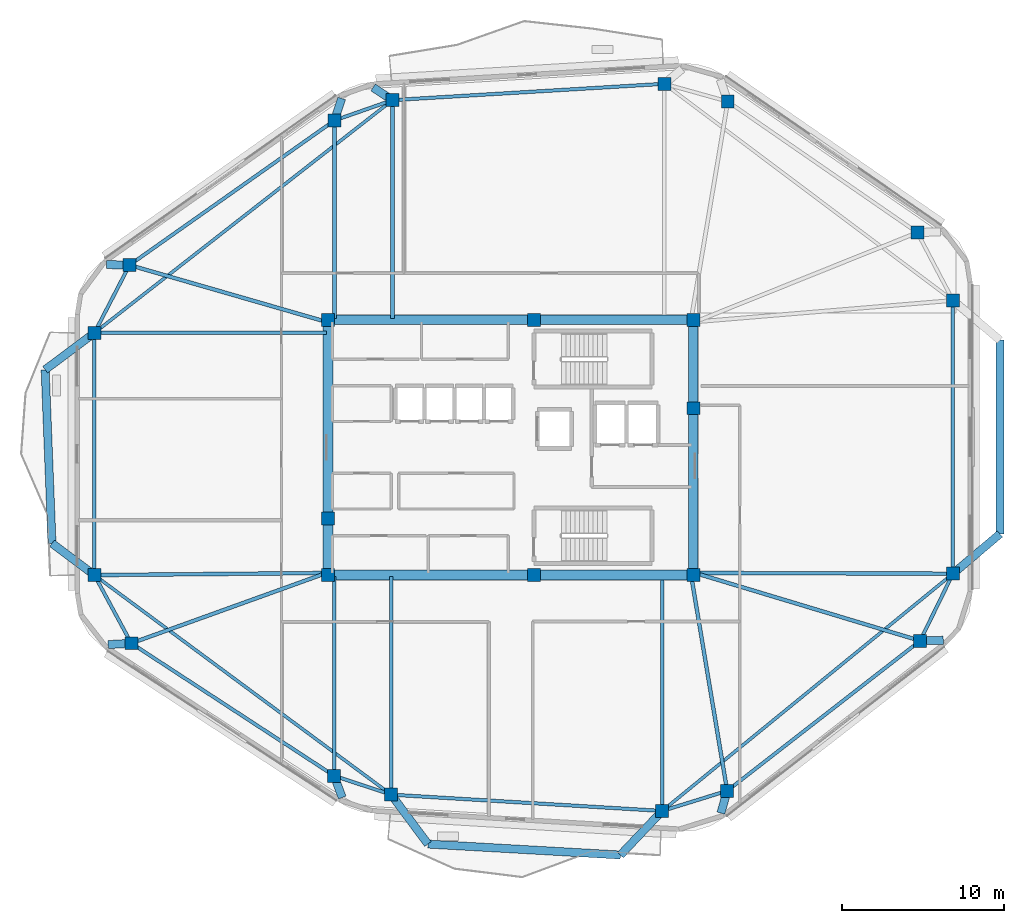
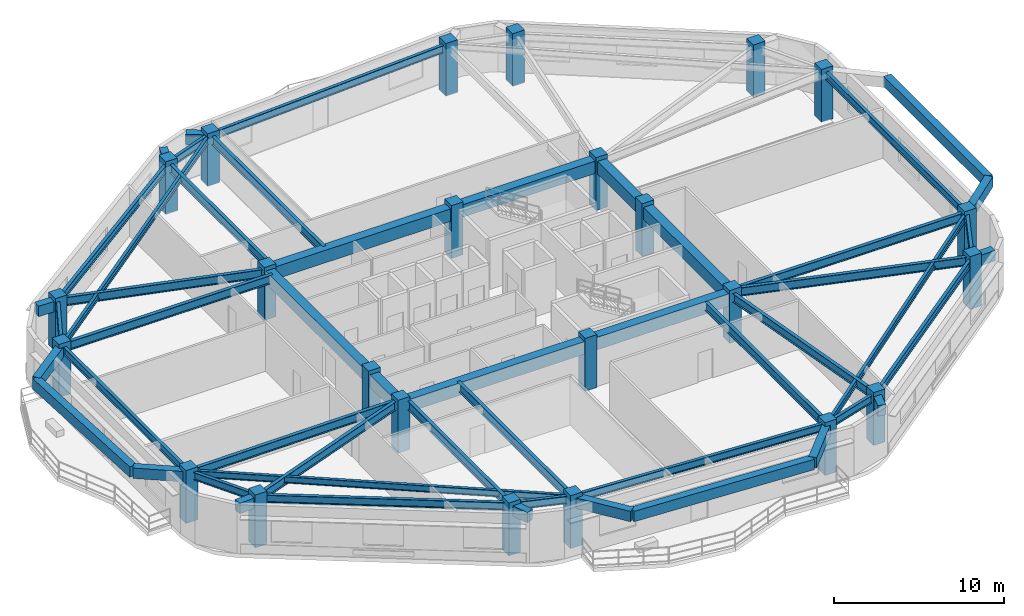
# One storey, part 1 of 9: 51 beams, 24 columns.
"""IFC4 building model written with IfcOpenShell, lengths in metres."""

from ifc_helpers import new_model, si_unit, direction, frame, origin, origin_2d, place, context, subcontext, project, spatial, rectangle, i_section, extrude, material, material_profile, profile_set, type_object, element, save


model = new_model("IFC4")

# Units and contexts
model_context = context("Model", 3, precision=1e-05, world=origin(), true_north=direction((0.0, 1.0)))
body_context = subcontext(model_context, "Body", "Model", "MODEL_VIEW")
ifc_project = project(units=[si_unit("LENGTHUNIT", "METRE"), si_unit("AREAUNIT", "SQUARE_METRE"), si_unit("VOLUMEUNIT", "CUBIC_METRE"), si_unit("PLANEANGLEUNIT", "RADIAN"), si_unit("MASSUNIT", "GRAM", prefix="KILO")], contexts=[model_context])

# Site, building, storey
site_placement = place(None, origin())
site = spatial("IfcSite", under=ifc_project, at=site_placement, CompositionType="ELEMENT")
building_placement = place(site_placement, origin())
building = spatial("IfcBuilding", under=site, at=building_placement, Name="Zulverin Broadcast Headquarters", CompositionType="ELEMENT")
storey_placement = place(building_placement, frame((0.0, 0.0, 259.199951171875)))
storey = spatial("IfcBuildingStorey", under=building, at=storey_placement, Name="L66", CompositionType="ELEMENT", Elevation=259.199951171875)

# Columns
ifc_material_1 = material(Name="Concrete C50/60", Category="concrete")
ifc_material_profile_1 = material_profile(ifc_material_1, rectangle(XDim=0.800048828125, YDim=0.800048828125, at=origin_2d()), Name="Concrete C50/60", Category="concrete")
ifc_profile_set_1 = profile_set([ifc_material_profile_1], Name="Concrete C50/60")
column_type_1 = type_object("IfcColumnType", Name="COL-RC-800", PredefinedType="COLUMN", material=ifc_profile_set_1)
for number, where, z_axis, x_axis, name in (
    (1, (29.6220703125, 3.763671875, 0.0), (0.0, 0.0, 1.0), (1.0, 0.0, 0.0), "L66 Perimeter Column T01"),
    (2, (46.3515625, 2.759521484375, 0.0), (0.0, 0.0, 1.0), (1.0, 0.0, 0.0), "L66 Perimeter Column T02"),
    (3, (50.361083984375, 4.001708984375, 0.0), (0.0, 0.0, 1.0), (1.0, 0.0, 0.0), "L66 Perimeter Column T03"),
    (4, (62.272216796875, 13.262451171875, 0.0), (0.0, 0.0, 1.0), (1.0, 0.0, 0.0), "L66 Perimeter Column T04"),
    (5, (64.300048828125, 17.40771484375, 0.0), (0.0, 0.0, 1.0), (1.0, 0.0, 0.0), "L66 Perimeter Column T05"),
    (6, (64.300048828125, 34.275634765625, 0.0), (0.0, 0.0, 1.0), (1.0, 0.0, 0.0), "L66 Perimeter Column T06"),
    (7, (62.102783203125, 38.465087890625, 0.0), (0.0, 0.0, 1.0), (1.0, 0.0, 0.0), "L66 Perimeter Column T07"),
    (8, (50.39794921875, 46.554443359375, 0.0), (0.0, 0.0, 1.0), (1.0, 0.0, 0.0), "L66 Perimeter Column T08"),
    (9, (46.4814453125, 47.6484375, 0.0), (0.0, 0.0, 1.0), (1.0, 0.0, 0.0), "L66 Perimeter Column T09"),
    (10, (29.70068359375, 46.64111328125, 0.0), (0.0, 0.0, 1.0), (1.0, 0.0, 0.0), "L66 Perimeter Column T10"),
    (11, (26.11474609375, 45.383544921875, 0.0), (0.0, 0.0, 1.0), (1.0, 0.0, 0.0), "L66 Perimeter Column T11"),
    (12, (13.46728515625, 36.457763671875, 0.0), (0.0, 0.0, 1.0), (1.0, 0.0, 0.0), "L66 Perimeter Column T12"),
    (13, (11.300048828125, 32.275390625, 0.0), (0.0, 0.0, 1.0), (1.0, 0.0, 0.0), "L66 Perimeter Column T13"),
    (14, (11.300048828125, 17.318603515625, 0.0), (0.0, 0.0, 1.0), (1.0, 0.0, 0.0), "L66 Perimeter Column T14"),
    (15, (13.576416015625, 13.11181640625, 0.0), (0.0, 0.0, 1.0), (1.0, 0.0, 0.0), "L66 Perimeter Column T15"),
    (16, (26.098876953125, 4.9287109375, 0.0), (0.0, 0.0, 1.0), (1.0, 0.0, 0.0), "L66 Perimeter Column T16"),
):
    element("IfcColumn", number, at=place(storey_placement, frame(where, z_axis=z_axis, x_axis=x_axis)), inside=storey, type_object=column_type_1, Name=name, PredefinedType="COLUMN", context=body_context, shape_type="SweptSolid", body=[
        extrude(rectangle(XDim=0.800048828125, YDim=0.800048828125, at=origin_2d()), origin(), (0.0, 0.0, 1.0), 3.800048828125),
    ])
ifc_material_profile_2 = material_profile(ifc_material_1, rectangle(XDim=0.800048828125, YDim=0.800048828125, at=origin_2d()), Name="Concrete C50/60", Category="concrete")
ifc_profile_set_2 = profile_set([ifc_material_profile_2], Name="Concrete C50/60")
column_type_2 = type_object("IfcColumnType", Name="PIL-RC-800", PredefinedType="PILASTER", material=ifc_profile_set_2)
for number, where, z_axis, x_axis, name in (
    (17, (25.72509765625, 17.324951171875, 0.0), (0.0, 0.0, 1.0), (1.0, 0.0, 0.0), "L66 Core Pilaster K01"),
    (18, (38.449951171875, 17.324951171875, 0.0), (0.0, 0.0, 1.0), (1.0, 0.0, 0.0), "L66 Core Pilaster K02"),
    (19, (48.27490234375, 17.324951171875, 0.0), (0.0, 0.0, 1.0), (1.0, 0.0, 0.0), "L66 Core Pilaster K03"),
    (20, (48.27490234375, 27.6201171875, 0.0), (0.0, 0.0, 1.0), (1.0, 0.0, 0.0), "L66 Core Pilaster K04"),
    (21, (48.27490234375, 33.074951171875, 0.0), (0.0, 0.0, 1.0), (1.0, 0.0, 0.0), "L66 Core Pilaster K05"),
    (22, (38.449951171875, 33.074951171875, 0.0), (0.0, 0.0, 1.0), (1.0, 0.0, 0.0), "L66 Core Pilaster K06"),
    (23, (25.72509765625, 33.074951171875, 0.0), (0.0, 0.0, 1.0), (1.0, 0.0, 0.0), "L66 Core Pilaster K07"),
    (24, (25.72509765625, 20.800048828125, 0.0), (0.0, 0.0, 1.0), (1.0, 0.0, 0.0), "L66 Core Pilaster K08"),
):
    element("IfcColumn", number, at=place(storey_placement, frame(where, z_axis=z_axis, x_axis=x_axis)), inside=storey, type_object=column_type_2, Name=name, PredefinedType="PILASTER", context=body_context, shape_type="SweptSolid", body=[
        extrude(rectangle(XDim=0.800048828125, YDim=0.800048828125, at=origin_2d()), origin(), (0.0, 0.0, 1.0), 3.800048828125),
    ])

# Beams
ifc_material_2 = material(Name="Concrete C60/75", Category="concrete")
ifc_material_profile_3 = material_profile(ifc_material_2, rectangle(XDim=0.60009765625, YDim=0.89990234375, at=origin_2d()), Name="Concrete C60/75", Category="concrete")
ifc_profile_set_3 = profile_set([ifc_material_profile_3], Name="Concrete C60/75")
beam_type_1 = type_object("IfcBeamType", Name="BM-CB-600x900", PredefinedType="LINTEL", material=ifc_profile_set_3)
beam_1_placement = place(storey_placement, frame((25.72509765625, 17.324951171875, 3.06005859375), z_axis=(1.0, 0.0, 0.0), x_axis=(0.0, 1.0, 0.0)))
element("IfcBeam", 25, at=beam_1_placement, inside=storey, type_object=beam_type_1, Name="L66 Core Coupling Girder K01-K02", PredefinedType="LINTEL", context=body_context, shape_type="SweptSolid", body=[
    extrude(rectangle(XDim=0.60009765625, YDim=0.89990234375, at=origin_2d()), origin(), (0.0, 0.0, 1.0), 12.724853515625),
])
beam_2_placement = place(storey_placement, frame((38.449951171875, 17.324951171875, 3.06005859375), z_axis=(1.0, 0.0, 0.0), x_axis=(0.0, 1.0, 0.0)))
element("IfcBeam", 26, at=beam_2_placement, inside=storey, type_object=beam_type_1, Name="L66 Core Coupling Girder K02-K03", PredefinedType="LINTEL", context=body_context, shape_type="SweptSolid", body=[
    extrude(rectangle(XDim=0.60009765625, YDim=0.89990234375, at=origin_2d()), origin(), (0.0, 0.0, 1.0), 9.824951171875),
])
beam_3_placement = place(storey_placement, frame((48.27490234375, 17.324951171875, 3.06005859375), z_axis=(0.0, 1.0, 0.0), x_axis=(-1.0, 0.0, 0.0)))
element("IfcBeam", 27, at=beam_3_placement, inside=storey, type_object=beam_type_1, Name="L66 Core Coupling Girder K03-K04", PredefinedType="LINTEL", context=body_context, shape_type="SweptSolid", body=[
    extrude(rectangle(XDim=0.60009765625, YDim=0.89990234375, at=origin_2d()), origin(), (0.0, 0.0, 1.0), 10.295166015625),
])
beam_4_placement = place(storey_placement, frame((48.27490234375, 27.6201171875, 3.06005859375), z_axis=(0.0, 1.0, 0.0), x_axis=(-1.0, 0.0, 0.0)))
element("IfcBeam", 28, at=beam_4_placement, inside=storey, type_object=beam_type_1, Name="L66 Core Coupling Girder K04-K05", PredefinedType="LINTEL", context=body_context, shape_type="SweptSolid", body=[
    extrude(rectangle(XDim=0.60009765625, YDim=0.89990234375, at=origin_2d()), origin(), (0.0, 0.0, 1.0), 5.454833984375),
])
beam_5_placement = place(storey_placement, frame((48.27490234375, 33.074951171875, 3.06005859375), z_axis=(-1.0, 0.0, 0.0), x_axis=(0.0, -1.0, 0.0)))
element("IfcBeam", 29, at=beam_5_placement, inside=storey, type_object=beam_type_1, Name="L66 Core Coupling Girder K05-K06", PredefinedType="LINTEL", context=body_context, shape_type="SweptSolid", body=[
    extrude(rectangle(XDim=0.60009765625, YDim=0.89990234375, at=origin_2d()), origin(), (0.0, 0.0, 1.0), 9.824951171875),
])
beam_6_placement = place(storey_placement, frame((38.449951171875, 33.074951171875, 3.06005859375), z_axis=(-1.0, 0.0, 0.0), x_axis=(0.0, -1.0, 0.0)))
element("IfcBeam", 30, at=beam_6_placement, inside=storey, type_object=beam_type_1, Name="L66 Core Coupling Girder K06-K07", PredefinedType="LINTEL", context=body_context, shape_type="SweptSolid", body=[
    extrude(rectangle(XDim=0.60009765625, YDim=0.89990234375, at=origin_2d()), origin(), (0.0, 0.0, 1.0), 12.724853515625),
])
beam_7_placement = place(storey_placement, frame((25.72509765625, 33.074951171875, 3.06005859375), z_axis=(0.0, -1.0, 0.0), x_axis=(1.0, 0.0, 0.0)))
element("IfcBeam", 31, at=beam_7_placement, inside=storey, type_object=beam_type_1, Name="L66 Core Coupling Girder K07-K08", PredefinedType="LINTEL", context=body_context, shape_type="SweptSolid", body=[
    extrude(rectangle(XDim=0.60009765625, YDim=0.89990234375, at=origin_2d()), origin(), (0.0, 0.0, 1.0), 12.27490234375),
])
beam_8_placement = place(storey_placement, frame((25.72509765625, 20.800048828125, 3.06005859375), z_axis=(0.0, -1.0, 0.0), x_axis=(1.0, 0.0, 0.0)))
element("IfcBeam", 32, at=beam_8_placement, inside=storey, type_object=beam_type_1, Name="L66 Core Coupling Girder K08-K01", PredefinedType="LINTEL", context=body_context, shape_type="SweptSolid", body=[
    extrude(rectangle(XDim=0.60009765625, YDim=0.89990234375, at=origin_2d()), origin(), (0.0, 0.0, 1.0), 3.47509765625),
])
ifc_material_3 = material(Name="Concrete C40/50", Category="concrete")
ifc_material_profile_4 = material_profile(ifc_material_3, rectangle(XDim=0.5, YDim=0.75, at=origin_2d()), Name="Concrete C40/50", Category="concrete")
ifc_profile_set_4 = profile_set([ifc_material_profile_4], Name="Concrete C40/50")
beam_type_2 = type_object("IfcBeamType", Name="BM-RC-500x750", PredefinedType="BEAM", material=ifc_profile_set_4)
beam_9_placement = place(storey_placement, frame((50.361083984375, 4.001708984375, 3.135009765625), z_axis=(-0.269914876125, -0.962884188076, 0.0), x_axis=(0.962884188076, -0.269914876125, 0.0)))
element("IfcBeam", 33, at=beam_9_placement, inside=storey, type_object=beam_type_2, Name="L67 Plate Overhang Back-Spanned Beam OVR-03", PredefinedType="BEAM", context=body_context, shape_type="SweptSolid", body=[
    extrude(rectangle(XDim=0.5, YDim=0.75, at=origin_2d()), origin(), (0.0, 0.0, 1.0), 1.429931640625),
])
beam_10_placement = place(storey_placement, frame((62.272216796875, 13.262451171875, 3.135009765625), z_axis=(0.999706131466, 0.024241507969, 0.0), x_axis=(-0.024241507969, 0.999706131466, 0.0)))
element("IfcBeam", 34, at=beam_10_placement, inside=storey, type_object=beam_type_2, Name="L67 Plate Overhang Back-Spanned Beam OVR-04", PredefinedType="BEAM", context=body_context, shape_type="SweptSolid", body=[
    extrude(rectangle(XDim=0.5, YDim=0.75, at=origin_2d()), origin(), (0.0, 0.0, 1.0), 1.43017578125),
])
beam_11_placement = place(storey_placement, frame((29.70068359375, 46.64111328125, 3.135009765625), z_axis=(-0.8384046017, 0.545048368356, 0.0), x_axis=(-0.545048368356, -0.8384046017, 0.0)))
element("IfcBeam", 35, at=beam_11_placement, inside=storey, type_object=beam_type_2, Name="L67 Plate Overhang Back-Spanned Beam OVR-10", PredefinedType="BEAM", context=body_context, shape_type="SweptSolid", body=[
    extrude(rectangle(XDim=0.5, YDim=0.75, at=origin_2d()), origin(), (0.0, 0.0, 1.0), 1.4296875),
])
beam_12_placement = place(storey_placement, frame((26.11474609375, 45.383544921875, 3.135009765625), z_axis=(0.314280982662, 0.94933000792, 0.0), x_axis=(-0.94933000792, 0.314280982662, 0.0)))
element("IfcBeam", 36, at=beam_12_placement, inside=storey, type_object=beam_type_2, Name="L67 Plate Overhang Back-Spanned Beam OVR-11", PredefinedType="BEAM", context=body_context, shape_type="SweptSolid", body=[
    extrude(rectangle(XDim=0.5, YDim=0.75, at=origin_2d()), origin(), (0.0, 0.0, 1.0), 1.43017578125),
])
beam_13_placement = place(storey_placement, frame((13.46728515625, 36.457763671875, 3.135009765625), z_axis=(-0.999761201155, 0.02185270385, 0.0), x_axis=(-0.02185270385, -0.999761201155, 0.0)))
element("IfcBeam", 37, at=beam_13_placement, inside=storey, type_object=beam_type_2, Name="L67 Plate Overhang Back-Spanned Beam OVR-12", PredefinedType="BEAM", context=body_context, shape_type="SweptSolid", body=[
    extrude(rectangle(XDim=0.5, YDim=0.75, at=origin_2d()), origin(), (0.0, 0.0, 1.0), 1.429931640625),
])
beam_14_placement = place(storey_placement, frame((13.576416015625, 13.11181640625, 3.135009765625), z_axis=(-0.998333895448, -0.057701240879, 0.0), x_axis=(0.057701240879, -0.998333895448, 0.0)))
element("IfcBeam", 38, at=beam_14_placement, inside=storey, type_object=beam_type_2, Name="L67 Plate Overhang Back-Spanned Beam OVR-15", PredefinedType="BEAM", context=body_context, shape_type="SweptSolid", body=[
    extrude(rectangle(XDim=0.5, YDim=0.75, at=origin_2d()), origin(), (0.0, 0.0, 1.0), 1.43017578125),
])
beam_15_placement = place(storey_placement, frame((26.098876953125, 4.9287109375, 3.135009765625), z_axis=(0.348109371259, -0.93745392721, 0.0), x_axis=(0.93745392721, 0.348109371259, 0.0)))
element("IfcBeam", 39, at=beam_15_placement, inside=storey, type_object=beam_type_2, Name="L67 Plate Overhang Back-Spanned Beam OVR-16", PredefinedType="BEAM", context=body_context, shape_type="SweptSolid", body=[
    extrude(rectangle(XDim=0.5, YDim=0.75, at=origin_2d()), origin(), (0.0, 0.0, 1.0), 1.429931640625),
])
beam_16_placement = place(storey_placement, frame((64.300048828125, 17.40771484375, 3.135009765625), z_axis=(0.763327794612, 0.646011360561, 0.0), x_axis=(-0.646011360561, 0.763327794612, 0.0)))
element("IfcBeam", 40, at=beam_16_placement, inside=storey, type_object=beam_type_2, Name="L67 Balcony Column-Framed Cantilever BAL_E-1", PredefinedType="BEAM", context=body_context, shape_type="SweptSolid", body=[
    extrude(rectangle(XDim=0.5, YDim=0.75, at=origin_2d()), origin(), (0.0, 0.0, 1.0), 3.800048828125),
])
beam_17_placement = place(storey_placement, frame((67.20068359375, 19.862548828125, 3.135009765625), z_axis=(0.0, 1.0, 0.0), x_axis=(-1.0, 0.0, 0.0)))
element("IfcBeam", 41, at=beam_17_placement, inside=storey, type_object=beam_type_2, Name="L67 Balcony Outer Edge Trimmer Beam BAL_E", PredefinedType="BEAM", context=body_context, shape_type="SweptSolid", body=[
    extrude(rectangle(XDim=0.5, YDim=0.75, at=origin_2d()), origin(), (0.0, 0.0, 1.0), 11.958251953125),
])
beam_18_placement = place(storey_placement, frame((29.6220703125, 3.763671875, 3.135009765625), z_axis=(0.596540448304, -0.802583013486, 0.0), x_axis=(0.802583013486, 0.596540448304, 0.0)))
element("IfcBeam", 42, at=beam_18_placement, inside=storey, type_object=beam_type_2, Name="L67 Balcony Column-Framed Cantilever BAL_S-1", PredefinedType="BEAM", context=body_context, shape_type="SweptSolid", body=[
    extrude(rectangle(XDim=0.5, YDim=0.75, at=origin_2d()), origin(), (0.0, 0.0, 1.0), 3.800048828125),
])
beam_19_placement = place(storey_placement, frame((46.3515625, 2.759521484375, 3.135009765625), z_axis=(-0.688239343282, -0.725483705095, 0.0), x_axis=(0.725483705095, -0.688239343282, 0.0)))
element("IfcBeam", 43, at=beam_19_placement, inside=storey, type_object=beam_type_2, Name="L67 Balcony Column-Framed Cantilever BAL_S-2", PredefinedType="BEAM", context=body_context, shape_type="SweptSolid", body=[
    extrude(rectangle(XDim=0.5, YDim=0.75, at=origin_2d()), origin(), (0.0, 0.0, 1.0), 3.74951171875),
])
beam_20_placement = place(storey_placement, frame((31.888916015625, 0.7138671875, 3.135009765625), z_axis=(0.998392397452, -0.056679985086, 0.0), x_axis=(0.056679985086, 0.998392397452, 0.0)))
element("IfcBeam", 44, at=beam_20_placement, inside=storey, type_object=beam_type_2, Name="L67 Balcony Outer Edge Trimmer Beam BAL_S", PredefinedType="BEAM", context=body_context, shape_type="SweptSolid", body=[
    extrude(rectangle(XDim=0.5, YDim=0.75, at=origin_2d()), origin(), (0.0, 0.0, 1.0), 11.901123046875),
])
beam_21_placement = place(storey_placement, frame((11.300048828125, 32.275390625, 3.135009765625), z_axis=(-0.80024663654, -0.599671010394, 0.0), x_axis=(0.599671010394, -0.80024663654, 0.0)))
element("IfcBeam", 45, at=beam_21_placement, inside=storey, type_object=beam_type_2, Name="L67 Balcony Column-Framed Cantilever BAL_W-1", PredefinedType="BEAM", context=body_context, shape_type="SweptSolid", body=[
    extrude(rectangle(XDim=0.5, YDim=0.75, at=origin_2d()), origin(), (0.0, 0.0, 1.0), 3.800048828125),
])
beam_22_placement = place(storey_placement, frame((11.300048828125, 17.318603515625, 3.135009765625), z_axis=(-0.800250474568, 0.599665888602, 0.0), x_axis=(-0.599665888602, -0.800250474568, 0.0)))
element("IfcBeam", 46, at=beam_22_placement, inside=storey, type_object=beam_type_2, Name="L67 Balcony Column-Framed Cantilever BAL_W-2", PredefinedType="BEAM", context=body_context, shape_type="SweptSolid", body=[
    extrude(rectangle(XDim=0.5, YDim=0.75, at=origin_2d()), origin(), (0.0, 0.0, 1.0), 3.274169921875),
])
beam_23_placement = place(storey_placement, frame((8.259033203125, 29.99658203125, 3.135009765625), z_axis=(0.039252429165, -0.999229326433, 0.0), x_axis=(0.999229326433, 0.039252429165, 0.0)))
element("IfcBeam", 47, at=beam_23_placement, inside=storey, type_object=beam_type_2, Name="L67 Balcony Outer Edge Trimmer Beam BAL_W", PredefinedType="BEAM", context=body_context, shape_type="SweptSolid", body=[
    extrude(rectangle(XDim=0.5, YDim=0.75, at=origin_2d()), origin(), (0.0, 0.0, 1.0), 10.722900390625),
])
ifc_material_4 = material(Name="Structural steel S355JR", Category="steel")
ifc_material_profile_5 = material_profile(ifc_material_4, i_section(OverallWidth=0.19287109375, OverallDepth=0.46728515625, WebThickness=0.011474609375, FlangeThickness=0.01953125, at=origin_2d()), Name="Structural steel S355JR", Category="steel")
ifc_profile_set_5 = profile_set([ifc_material_profile_5], Name="Structural steel S355JR")
beam_type_3 = type_object("IfcBeamType", Name="BM-UB-457", PredefinedType="JOIST", material=ifc_profile_set_5)
beam_24_placement = place(storey_placement, frame((46.3515625, 2.759521484375, 3.2763671875), z_axis=(0.77473799882, 0.632282399869, 0.0), x_axis=(-0.632282399869, 0.77473799882, 0.0)))
element("IfcBeam", 48, at=beam_24_placement, inside=storey, type_object=beam_type_3, Name="L66 Chordal Floor Joist J-01", PredefinedType="JOIST", context=body_context, shape_type="SweptSolid", body=[
    extrude(i_section(OverallWidth=0.19287109375, OverallDepth=0.46728515625, WebThickness=0.011474609375, FlangeThickness=0.01953125, at=origin_2d()), origin(), (0.0, 0.0, 1.0), 23.167236328125),
])
beam_25_placement = place(storey_placement, frame((29.70068359375, 46.64111328125, 3.2763671875), z_axis=(-0.788227438956, -0.615384030079, 0.0), x_axis=(0.615384030079, -0.788227438956, 0.0)))
element("IfcBeam", 49, at=beam_25_placement, inside=storey, type_object=beam_type_3, Name="L66 Chordal Floor Joist J-03", PredefinedType="JOIST", context=body_context, shape_type="SweptSolid", body=[
    extrude(i_section(OverallWidth=0.19287109375, OverallDepth=0.46728515625, WebThickness=0.011474609375, FlangeThickness=0.01953125, at=origin_2d()), origin(), (0.0, 0.0, 1.0), 23.34423828125),
])
beam_26_placement = place(storey_placement, frame((11.300048828125, 17.318603515625, 3.2763671875), z_axis=(0.803912476144, -0.594747619332, 0.0), x_axis=(0.594747619332, 0.803912476144, 0.0)))
element("IfcBeam", 50, at=beam_26_placement, inside=storey, type_object=beam_type_3, Name="L66 Chordal Floor Joist J-04", PredefinedType="JOIST", context=body_context, shape_type="SweptSolid", body=[
    extrude(i_section(OverallWidth=0.19287109375, OverallDepth=0.46728515625, WebThickness=0.011474609375, FlangeThickness=0.01953125, at=origin_2d()), origin(), (0.0, 0.0, 1.0), 22.791015625),
])
ifc_material_profile_6 = material_profile(ifc_material_4, i_section(OverallWidth=0.2119140625, OverallDepth=0.54443359375, WebThickness=0.0126953125, FlangeThickness=0.021240234375, at=origin_2d()), Name="Structural steel S355JR", Category="steel")
ifc_profile_set_6 = profile_set([ifc_material_profile_6], Name="Structural steel S355JR")
beam_type_4 = type_object("IfcBeamType", Name="BM-UB-533", PredefinedType="SPANDREL", material=ifc_profile_set_6)
beam_27_placement = place(storey_placement, frame((29.6220703125, 3.763671875, 3.23779296875), z_axis=(0.998203486609, -0.059914934044, 0.0), x_axis=(0.059914934044, 0.998203486609, 0.0)))
element("IfcBeam", 51, at=beam_27_placement, inside=storey, type_object=beam_type_4, Name="L66 Perimeter Spandrel Beam SP-01", PredefinedType="SPANDREL", context=body_context, shape_type="SweptSolid", body=[
    extrude(i_section(OverallWidth=0.2119140625, OverallDepth=0.54443359375, WebThickness=0.0126953125, FlangeThickness=0.021240234375, at=origin_2d()), origin(), (0.0, 0.0, 1.0), 16.759521484375),
])
beam_28_placement = place(storey_placement, frame((46.3515625, 2.759521484375, 3.23779296875), z_axis=(0.955208799219, 0.295932677978, 0.0), x_axis=(-0.295932677978, 0.955208799219, 0.0)))
element("IfcBeam", 52, at=beam_28_placement, inside=storey, type_object=beam_type_4, Name="L66 Perimeter Spandrel Beam SP-02", PredefinedType="SPANDREL", context=body_context, shape_type="SweptSolid", body=[
    extrude(i_section(OverallWidth=0.2119140625, OverallDepth=0.54443359375, WebThickness=0.0126953125, FlangeThickness=0.021240234375, at=origin_2d()), origin(), (0.0, 0.0, 1.0), 4.197509765625),
])
beam_29_placement = place(storey_placement, frame((50.361083984375, 4.001708984375, 3.23779296875), z_axis=(0.789463732329, 0.613797210271, 0.0), x_axis=(-0.613797210271, 0.789463732329, 0.0)))
element("IfcBeam", 53, at=beam_29_placement, inside=storey, type_object=beam_type_4, Name="L66 Perimeter Spandrel Beam SP-03", PredefinedType="SPANDREL", context=body_context, shape_type="SweptSolid", body=[
    extrude(i_section(OverallWidth=0.2119140625, OverallDepth=0.54443359375, WebThickness=0.0126953125, FlangeThickness=0.021240234375, at=origin_2d()), origin(), (0.0, 0.0, 1.0), 15.087646484375),
])
beam_30_placement = place(storey_placement, frame((62.272216796875, 13.262451171875, 3.23779296875), z_axis=(0.439430258265, 0.898276710219, 0.0), x_axis=(-0.898276710219, 0.439430258265, 0.0)))
element("IfcBeam", 54, at=beam_30_placement, inside=storey, type_object=beam_type_4, Name="L66 Perimeter Spandrel Beam SP-04", PredefinedType="SPANDREL", context=body_context, shape_type="SweptSolid", body=[
    extrude(i_section(OverallWidth=0.2119140625, OverallDepth=0.54443359375, WebThickness=0.0126953125, FlangeThickness=0.021240234375, at=origin_2d()), origin(), (0.0, 0.0, 1.0), 4.61474609375),
])
beam_31_placement = place(storey_placement, frame((64.300048828125, 17.40771484375, 3.23779296875), z_axis=(0.0, 1.0, 0.0), x_axis=(-1.0, 0.0, 0.0)))
element("IfcBeam", 55, at=beam_31_placement, inside=storey, type_object=beam_type_4, Name="L66 Perimeter Spandrel Beam SP-05", PredefinedType="SPANDREL", context=body_context, shape_type="SweptSolid", body=[
    extrude(i_section(OverallWidth=0.2119140625, OverallDepth=0.54443359375, WebThickness=0.0126953125, FlangeThickness=0.021240234375, at=origin_2d()), origin(), (0.0, 0.0, 1.0), 16.867919921875),
])
beam_32_placement = place(storey_placement, frame((46.4814453125, 47.6484375, 3.23779296875), z_axis=(-0.99820314332, -0.059920653088, 0.0), x_axis=(0.059920653088, -0.99820314332, 0.0)))
element("IfcBeam", 56, at=beam_32_placement, inside=storey, type_object=beam_type_4, Name="L66 Perimeter Spandrel Beam SP-09", PredefinedType="SPANDREL", context=body_context, shape_type="SweptSolid", body=[
    extrude(i_section(OverallWidth=0.2119140625, OverallDepth=0.54443359375, WebThickness=0.0126953125, FlangeThickness=0.021240234375, at=origin_2d()), origin(), (0.0, 0.0, 1.0), 16.81103515625),
])
beam_33_placement = place(storey_placement, frame((29.70068359375, 46.64111328125, 3.23779296875), z_axis=(-0.943653845921, -0.330934161243, 0.0), x_axis=(0.330934161243, -0.943653845921, 0.0)))
element("IfcBeam", 57, at=beam_33_placement, inside=storey, type_object=beam_type_4, Name="L66 Perimeter Spandrel Beam SP-10", PredefinedType="SPANDREL", context=body_context, shape_type="SweptSolid", body=[
    extrude(i_section(OverallWidth=0.2119140625, OverallDepth=0.54443359375, WebThickness=0.0126953125, FlangeThickness=0.021240234375, at=origin_2d()), origin(), (0.0, 0.0, 1.0), 3.800048828125),
])
beam_34_placement = place(storey_placement, frame((26.11474609375, 45.383544921875, 3.23779296875), z_axis=(-0.817023806154, -0.576603937012, 0.0), x_axis=(0.576603937012, -0.817023806154, 0.0)))
element("IfcBeam", 58, at=beam_34_placement, inside=storey, type_object=beam_type_4, Name="L66 Perimeter Spandrel Beam SP-11", PredefinedType="SPANDREL", context=body_context, shape_type="SweptSolid", body=[
    extrude(i_section(OverallWidth=0.2119140625, OverallDepth=0.54443359375, WebThickness=0.0126953125, FlangeThickness=0.021240234375, at=origin_2d()), origin(), (0.0, 0.0, 1.0), 15.47998046875),
])
beam_35_placement = place(storey_placement, frame((13.46728515625, 36.457763671875, 3.23779296875), z_axis=(-0.460082658911, -0.887876087621, 0.0), x_axis=(0.887876087621, -0.460082658911, 0.0)))
element("IfcBeam", 59, at=beam_35_placement, inside=storey, type_object=beam_type_4, Name="L66 Perimeter Spandrel Beam SP-12", PredefinedType="SPANDREL", context=body_context, shape_type="SweptSolid", body=[
    extrude(i_section(OverallWidth=0.2119140625, OverallDepth=0.54443359375, WebThickness=0.0126953125, FlangeThickness=0.021240234375, at=origin_2d()), origin(), (0.0, 0.0, 1.0), 4.71044921875),
])
beam_36_placement = place(storey_placement, frame((11.300048828125, 32.275390625, 3.23779296875), z_axis=(0.0, -1.0, 0.0), x_axis=(1.0, 0.0, 0.0)))
element("IfcBeam", 60, at=beam_36_placement, inside=storey, type_object=beam_type_4, Name="L66 Perimeter Spandrel Beam SP-13", PredefinedType="SPANDREL", context=body_context, shape_type="SweptSolid", body=[
    extrude(i_section(OverallWidth=0.2119140625, OverallDepth=0.54443359375, WebThickness=0.0126953125, FlangeThickness=0.021240234375, at=origin_2d()), origin(), (0.0, 0.0, 1.0), 14.956787109375),
])
beam_37_placement = place(storey_placement, frame((11.300048828125, 17.318603515625, 3.23779296875), z_axis=(0.475909852672, -0.879494066, 0.0), x_axis=(0.879494066, 0.475909852672, 0.0)))
element("IfcBeam", 61, at=beam_37_placement, inside=storey, type_object=beam_type_4, Name="L66 Perimeter Spandrel Beam SP-14", PredefinedType="SPANDREL", context=body_context, shape_type="SweptSolid", body=[
    extrude(i_section(OverallWidth=0.2119140625, OverallDepth=0.54443359375, WebThickness=0.0126953125, FlangeThickness=0.021240234375, at=origin_2d()), origin(), (0.0, 0.0, 1.0), 4.783203125),
])
beam_38_placement = place(storey_placement, frame((13.576416015625, 13.11181640625, 3.23779296875), z_axis=(0.837112191398, -0.547031241349, 0.0), x_axis=(0.547031241349, 0.837112191398, 0.0)))
element("IfcBeam", 62, at=beam_38_placement, inside=storey, type_object=beam_type_4, Name="L66 Perimeter Spandrel Beam SP-15", PredefinedType="SPANDREL", context=body_context, shape_type="SweptSolid", body=[
    extrude(i_section(OverallWidth=0.2119140625, OverallDepth=0.54443359375, WebThickness=0.0126953125, FlangeThickness=0.021240234375, at=origin_2d()), origin(), (0.0, 0.0, 1.0), 14.959228515625),
])
beam_39_placement = place(storey_placement, frame((26.098876953125, 4.9287109375, 3.23779296875), z_axis=(0.949437184981, -0.313957054031, 0.0), x_axis=(0.313957054031, 0.949437184981, 0.0)))
element("IfcBeam", 63, at=beam_39_placement, inside=storey, type_object=beam_type_4, Name="L66 Perimeter Spandrel Beam SP-16", PredefinedType="SPANDREL", context=body_context, shape_type="SweptSolid", body=[
    extrude(i_section(OverallWidth=0.2119140625, OverallDepth=0.54443359375, WebThickness=0.0126953125, FlangeThickness=0.021240234375, at=origin_2d()), origin(), (0.0, 0.0, 1.0), 3.7109375),
])
ifc_material_profile_7 = material_profile(ifc_material_4, i_section(OverallWidth=0.230224609375, OverallDepth=0.6171875, WebThickness=0.01318359375, FlangeThickness=0.022216796875, at=origin_2d()), Name="Structural steel S355JR", Category="steel")
ifc_profile_set_7 = profile_set([ifc_material_profile_7], Name="Structural steel S355JR")
beam_type_5 = type_object("IfcBeamType", Name="BM-UB-610", PredefinedType="BEAM", material=ifc_profile_set_7)
beam_40_placement = place(storey_placement, frame((29.6220703125, 17.22509765625, 3.201416015625), z_axis=(0.0, -1.0, 0.0), x_axis=(1.0, 0.0, 0.0)))
element("IfcBeam", 64, at=beam_40_placement, inside=storey, type_object=beam_type_5, Name="L66 Radial Primary Floor Beam RB-01", PredefinedType="BEAM", context=body_context, shape_type="SweptSolid", body=[
    extrude(i_section(OverallWidth=0.230224609375, OverallDepth=0.6171875, WebThickness=0.01318359375, FlangeThickness=0.022216796875, at=origin_2d()), origin(), (0.0, 0.0, 1.0), 13.46142578125),
])
beam_41_placement = place(storey_placement, frame((46.3515625, 17.22509765625, 3.201416015625), z_axis=(0.0, -1.0, 0.0), x_axis=(1.0, 0.0, 0.0)))
element("IfcBeam", 65, at=beam_41_placement, inside=storey, type_object=beam_type_5, Name="L66 Radial Primary Floor Beam RB-02", PredefinedType="BEAM", context=body_context, shape_type="SweptSolid", body=[
    extrude(i_section(OverallWidth=0.230224609375, OverallDepth=0.6171875, WebThickness=0.01318359375, FlangeThickness=0.022216796875, at=origin_2d()), origin(), (0.0, 0.0, 1.0), 14.465576171875),
])
beam_42_placement = place(storey_placement, frame((48.14990234375, 17.22509765625, 3.201416015625), z_axis=(0.1649275445, -0.986305685407, 0.0), x_axis=(0.986305685407, 0.1649275445, 0.0)))
element("IfcBeam", 66, at=beam_42_placement, inside=storey, type_object=beam_type_5, Name="L66 Radial Primary Floor Beam RB-03", PredefinedType="BEAM", context=body_context, shape_type="SweptSolid", body=[
    extrude(i_section(OverallWidth=0.230224609375, OverallDepth=0.6171875, WebThickness=0.01318359375, FlangeThickness=0.022216796875, at=origin_2d()), origin(), (0.0, 0.0, 1.0), 13.406982421875),
])
beam_43_placement = place(storey_placement, frame((48.375, 17.449951171875, 3.201416015625), z_axis=(0.957477907331, -0.288506597799, 0.0), x_axis=(0.288506597799, 0.957477907331, 0.0)))
element("IfcBeam", 67, at=beam_43_placement, inside=storey, type_object=beam_type_5, Name="L66 Radial Primary Floor Beam RB-04", PredefinedType="BEAM", context=body_context, shape_type="SweptSolid", body=[
    extrude(i_section(OverallWidth=0.230224609375, OverallDepth=0.6171875, WebThickness=0.01318359375, FlangeThickness=0.022216796875, at=origin_2d()), origin(), (0.0, 0.0, 1.0), 14.514404296875),
])
beam_44_placement = place(storey_placement, frame((48.375, 17.449951171875, 3.201416015625), z_axis=(0.999996482951, -0.002652185248, 0.0), x_axis=(0.002652185248, 0.999996482951, 0.0)))
element("IfcBeam", 68, at=beam_44_placement, inside=storey, type_object=beam_type_5, Name="L66 Radial Primary Floor Beam RB-05", PredefinedType="BEAM", context=body_context, shape_type="SweptSolid", body=[
    extrude(i_section(OverallWidth=0.230224609375, OverallDepth=0.6171875, WebThickness=0.01318359375, FlangeThickness=0.022216796875, at=origin_2d()), origin(), (0.0, 0.0, 1.0), 15.925048828125),
])
beam_45_placement = place(storey_placement, frame((29.70068359375, 33.175048828125, 3.201416015625), z_axis=(0.0, 1.0, 0.0), x_axis=(-1.0, 0.0, 0.0)))
element("IfcBeam", 69, at=beam_45_placement, inside=storey, type_object=beam_type_5, Name="L66 Radial Primary Floor Beam RB-10", PredefinedType="BEAM", context=body_context, shape_type="SweptSolid", body=[
    extrude(i_section(OverallWidth=0.230224609375, OverallDepth=0.6171875, WebThickness=0.01318359375, FlangeThickness=0.022216796875, at=origin_2d()), origin(), (0.0, 0.0, 1.0), 13.466064453125),
])
beam_46_placement = place(storey_placement, frame((26.11474609375, 33.175048828125, 3.201416015625), z_axis=(0.0, 1.0, 0.0), x_axis=(-1.0, 0.0, 0.0)))
element("IfcBeam", 70, at=beam_46_placement, inside=storey, type_object=beam_type_5, Name="L66 Radial Primary Floor Beam RB-11", PredefinedType="BEAM", context=body_context, shape_type="SweptSolid", body=[
    extrude(i_section(OverallWidth=0.230224609375, OverallDepth=0.6171875, WebThickness=0.01318359375, FlangeThickness=0.022216796875, at=origin_2d()), origin(), (0.0, 0.0, 1.0), 12.20849609375),
])
beam_47_placement = place(storey_placement, frame((25.625, 32.949951171875, 3.201416015625), z_axis=(-0.960807187215, 0.277217512067, 0.0), x_axis=(-0.277217512067, -0.960807187215, 0.0)))
element("IfcBeam", 71, at=beam_47_placement, inside=storey, type_object=beam_type_5, Name="L66 Radial Primary Floor Beam RB-12", PredefinedType="BEAM", context=body_context, shape_type="SweptSolid", body=[
    extrude(i_section(OverallWidth=0.230224609375, OverallDepth=0.6171875, WebThickness=0.01318359375, FlangeThickness=0.022216796875, at=origin_2d()), origin(), (0.0, 0.0, 1.0), 12.653564453125),
])
beam_48_placement = place(storey_placement, frame((25.625, 32.275390625, 3.201416015625), z_axis=(-1.0, 0.0, 0.0), x_axis=(0.0, -1.0, 0.0)))
element("IfcBeam", 72, at=beam_48_placement, inside=storey, type_object=beam_type_5, Name="L66 Radial Primary Floor Beam RB-13", PredefinedType="BEAM", context=body_context, shape_type="SweptSolid", body=[
    extrude(i_section(OverallWidth=0.230224609375, OverallDepth=0.6171875, WebThickness=0.01318359375, FlangeThickness=0.022216796875, at=origin_2d()), origin(), (0.0, 0.0, 1.0), 14.324951171875),
])
beam_49_placement = place(storey_placement, frame((25.625, 17.449951171875, 3.201416015625), z_axis=(-0.999957965975, -0.009168766693, 0.0), x_axis=(0.009168766693, -0.999957965975, 0.0)))
element("IfcBeam", 73, at=beam_49_placement, inside=storey, type_object=beam_type_5, Name="L66 Radial Primary Floor Beam RB-14", PredefinedType="BEAM", context=body_context, shape_type="SweptSolid", body=[
    extrude(i_section(OverallWidth=0.230224609375, OverallDepth=0.6171875, WebThickness=0.01318359375, FlangeThickness=0.022216796875, at=origin_2d()), origin(), (0.0, 0.0, 1.0), 14.325439453125),
])
beam_50_placement = place(storey_placement, frame((25.625, 17.449951171875, 3.201416015625), z_axis=(-0.940871370382, -0.338764024646, 0.0), x_axis=(0.338764024646, -0.940871370382, 0.0)))
element("IfcBeam", 74, at=beam_50_placement, inside=storey, type_object=beam_type_5, Name="L66 Radial Primary Floor Beam RB-15", PredefinedType="BEAM", context=body_context, shape_type="SweptSolid", body=[
    extrude(i_section(OverallWidth=0.230224609375, OverallDepth=0.6171875, WebThickness=0.01318359375, FlangeThickness=0.022216796875, at=origin_2d()), origin(), (0.0, 0.0, 1.0), 12.8056640625),
])
beam_51_placement = place(storey_placement, frame((26.098876953125, 17.22509765625, 3.201416015625), z_axis=(0.0, -1.0, 0.0), x_axis=(1.0, 0.0, 0.0)))
element("IfcBeam", 75, at=beam_51_placement, inside=storey, type_object=beam_type_5, Name="L66 Radial Primary Floor Beam RB-16", PredefinedType="BEAM", context=body_context, shape_type="SweptSolid", body=[
    extrude(i_section(OverallWidth=0.230224609375, OverallDepth=0.6171875, WebThickness=0.01318359375, FlangeThickness=0.022216796875, at=origin_2d()), origin(), (0.0, 0.0, 1.0), 12.29638671875),
])

save(model, "model.ifc")
